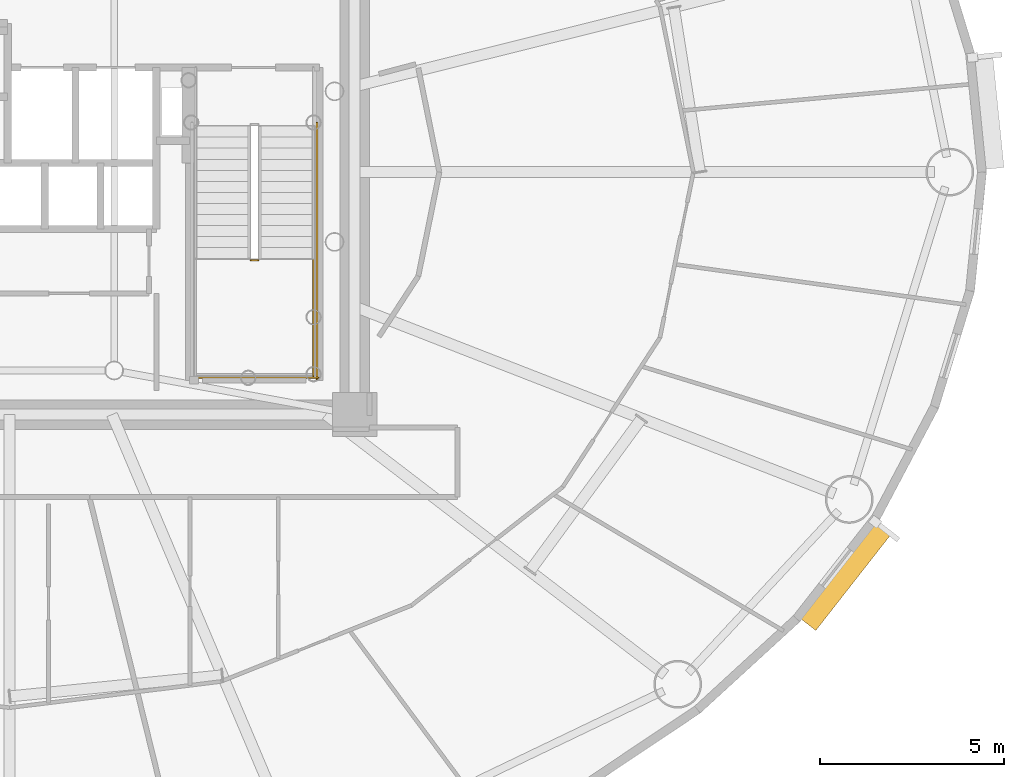
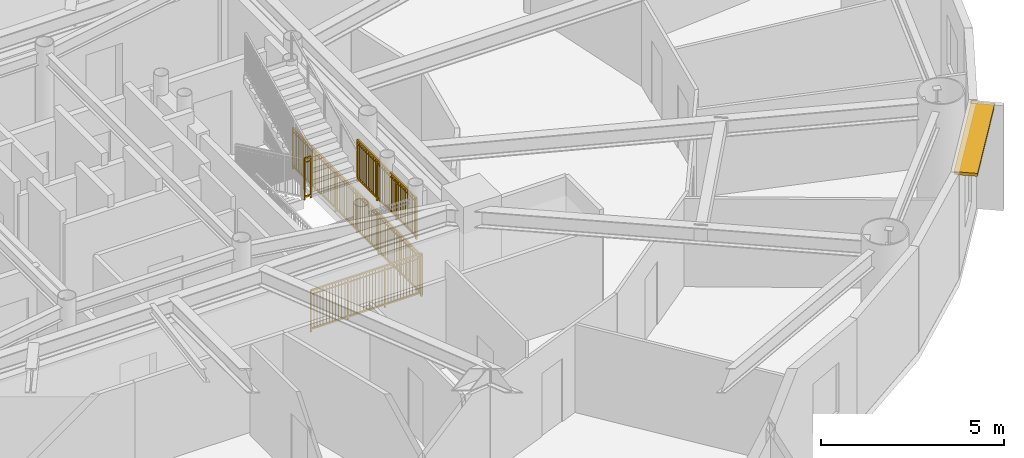
# One storey, part 19 of 21: 4 railings, 1 shading device.
"""IFC4 building model written with IfcOpenShell, lengths in metres."""

from ifc_helpers import new_model, si_unit, direction, frame, origin, origin_2d, place, context, subcontext, project, spatial, rectangle, extrude, source, transform, mapped, material, layer, layer_set, type_object, element, save


model = new_model("IFC4")

# Units and contexts
model_context = context("Model", 3, precision=1e-05, world=origin(), true_north=direction((0.0, 1.0)))
body_context = subcontext(model_context, "Body", "Model", "MODEL_VIEW")
ifc_project = project(units=[si_unit("LENGTHUNIT", "METRE"), si_unit("AREAUNIT", "SQUARE_METRE"), si_unit("VOLUMEUNIT", "CUBIC_METRE"), si_unit("PLANEANGLEUNIT", "RADIAN"), si_unit("MASSUNIT", "GRAM", prefix="KILO")], contexts=[model_context])

# Site, building, storey
site_placement = place(None, origin())
site = spatial("IfcSite", under=ifc_project, at=site_placement, CompositionType="ELEMENT")
building_placement = place(site_placement, origin())
building = spatial("IfcBuilding", under=site, at=building_placement, Name="Linh Dai School and Residence Tower", CompositionType="ELEMENT")
storey_placement = place(building_placement, frame((0.0, 0.0, 189.89990234375)))
storey = spatial("IfcBuildingStorey", under=building, at=storey_placement, Name="L46", CompositionType="ELEMENT", Elevation=189.89990234375)

# Shading device
ifc_material_1 = material(Name="Terracotta Ceramic Sunshade", Category="masonry")
ifc_layer = layer(ifc_material_1, 0.10009765625)
ifc_layer_set = layer_set([ifc_layer], Name="Terracotta Ceramic Sunshade")
shading_device_type = type_object("IfcShadingDeviceType", Name="SHD-TC-650", PredefinedType="USERDEFINED", material=ifc_layer_set)
shared_shape_1 = source(origin(), body_context, "Body", "SweptSolid", [
    extrude(rectangle(XDim=3.376708984375, YDim=0.64990234375, at=origin_2d()), origin(), (0.0, 0.0, 1.0), 0.10009765625),
])
shading_device_placement = place(storey_placement, frame((58.736572265625, 16.05078125, 3.380126953125), z_axis=(0.0, 0.0, 1.0), x_axis=(-0.616286337798, -0.787522158319, 0.0)))
element("IfcShadingDevice", 1, at=shading_device_placement, inside=storey, type_object=shading_device_type, Name="L46 Terracotta Horizontal Sunshade Band 37", ObjectType="SUNSHADE", PredefinedType="USERDEFINED", context=body_context, shape_type="MappedRepresentation", body=[
    mapped(shared_shape_1, transform((0.0, 0.0, 0.0), x_axis=(1.0, 0.0, 0.0), y_axis=(0.0, 1.0, 0.0), z_axis=(0.0, 0.0, 1.0), scale=1.0)),
])

# Railings
ifc_material_2 = material(Name="Structural Steel S355JR", Category="steel")
railing_type = type_object("IfcRailingType", Name="RL-ST-GUARD-1400", PredefinedType="GUARDRAIL", material=ifc_material_2)
shared_shape_2 = source(origin(), body_context, "Body", "SweptSolid", [
    extrude(rectangle(XDim=0.048095703125, YDim=0.048095703125, at=origin_2d()), frame((0.0, 0.0, 1.3759765625), z_axis=(1.0, 0.0, 0.0), x_axis=(0.0, 1.0, 0.0)), (0.0, 0.0, 1.0), 0.199951171875),
    extrude(rectangle(XDim=0.048095703125, YDim=0.048095703125, at=origin_2d()), frame((0.0, 0.0, 0.10009765625), z_axis=(1.0, 0.0, 0.0), x_axis=(0.0, 1.0, 0.0)), (0.0, 0.0, 1.0), 0.199951171875),
    extrude(rectangle(XDim=0.030029296875, YDim=0.030029296875, at=origin_2d()), frame((0.0, 0.0, 1.239990234375), z_axis=(1.0, 0.0, 0.0), x_axis=(0.0, 1.0, 0.0)), (0.0, 0.0, 1.0), 0.199951171875),
    extrude(rectangle(XDim=0.0419921875, YDim=0.0419921875, at=origin_2d()), origin(), (0.0, 0.0, 1.0), 1.3759765625),
    extrude(rectangle(XDim=0.0419921875, YDim=0.0419921875, at=origin_2d()), frame((0.199951171875, 0.0, 0.0)), (0.0, 0.0, 1.0), 1.3759765625),
])
railing_1_placement = place(storey_placement, frame((42.570068359375, 24.60009765625, 1.875)))
element("IfcRailing", 2, at=railing_1_placement, inside=storey, type_object=railing_type, Name="L46 ST2 stair guard 2", PredefinedType="GUARDRAIL", context=body_context, shape_type="MappedRepresentation", body=[
    mapped(shared_shape_2, transform((0.0, 0.0, 0.0), x_axis=(1.0, 0.0, 0.0), y_axis=(0.0, 1.0, 0.0), z_axis=(0.0, 0.0, 1.0), scale=1.0)),
])
shared_shape_3 = source(origin(), body_context, "Body", "SweptSolid", [
    extrude(rectangle(XDim=0.048095703125, YDim=0.048095703125, at=origin_2d()), frame((0.0, 0.0, 1.3759765625), z_axis=(0.0, -1.0, 0.0), x_axis=(1.0, 0.0, 0.0)), (0.0, 0.0, 1.0), 7.0),
    extrude(rectangle(XDim=0.048095703125, YDim=0.048095703125, at=origin_2d()), frame((0.0, 0.0, 0.10009765625), z_axis=(0.0, -1.0, 0.0), x_axis=(1.0, 0.0, 0.0)), (0.0, 0.0, 1.0), 7.0),
    extrude(rectangle(XDim=0.030029296875, YDim=0.030029296875, at=origin_2d()), frame((0.0, 0.0, 1.239990234375), z_axis=(0.0, -1.0, 0.0), x_axis=(1.0, 0.0, 0.0)), (0.0, 0.0, 1.0), 7.0),
    extrude(rectangle(XDim=0.02001953125, YDim=0.02001953125, at=origin_2d()), frame((0.0, -0.09716796875, 0.10009765625)), (0.0, 0.0, 1.0), 1.251708984375),
    extrude(rectangle(XDim=0.02001953125, YDim=0.02001953125, at=origin_2d()), frame((0.0, -0.1943359375, 0.10009765625)), (0.0, 0.0, 1.0), 1.251708984375),
    extrude(rectangle(XDim=0.02001953125, YDim=0.02001953125, at=origin_2d()), frame((0.0, -0.291748046875, 0.10009765625)), (0.0, 0.0, 1.0), 1.251708984375),
    extrude(rectangle(XDim=0.02001953125, YDim=0.02001953125, at=origin_2d()), frame((0.0, -0.388916015625, 0.10009765625)), (0.0, 0.0, 1.0), 1.251708984375),
    extrude(rectangle(XDim=0.02001953125, YDim=0.02001953125, at=origin_2d()), frame((0.0, -0.486083984375, 0.10009765625)), (0.0, 0.0, 1.0), 1.251708984375),
    extrude(rectangle(XDim=0.02001953125, YDim=0.02001953125, at=origin_2d()), frame((0.0, -0.583251953125, 0.10009765625)), (0.0, 0.0, 1.0), 1.251708984375),
    extrude(rectangle(XDim=0.02001953125, YDim=0.02001953125, at=origin_2d()), frame((0.0, -0.6806640625, 0.10009765625)), (0.0, 0.0, 1.0), 1.251708984375),
    extrude(rectangle(XDim=0.02001953125, YDim=0.02001953125, at=origin_2d()), frame((0.0, -0.77783203125, 0.10009765625)), (0.0, 0.0, 1.0), 1.251708984375),
    extrude(rectangle(XDim=0.02001953125, YDim=0.02001953125, at=origin_2d()), frame((0.0, -0.875, 0.10009765625)), (0.0, 0.0, 1.0), 1.251708984375),
    extrude(rectangle(XDim=0.02001953125, YDim=0.02001953125, at=origin_2d()), frame((0.0, -0.97216796875, 0.10009765625)), (0.0, 0.0, 1.0), 1.251708984375),
    extrude(rectangle(XDim=0.02001953125, YDim=0.02001953125, at=origin_2d()), frame((0.0, -1.0693359375, 0.10009765625)), (0.0, 0.0, 1.0), 1.251708984375),
    extrude(rectangle(XDim=0.02001953125, YDim=0.02001953125, at=origin_2d()), frame((0.0, -1.263916015625, 0.10009765625)), (0.0, 0.0, 1.0), 1.251708984375),
    extrude(rectangle(XDim=0.02001953125, YDim=0.02001953125, at=origin_2d()), frame((0.0, -1.361083984375, 0.10009765625)), (0.0, 0.0, 1.0), 1.251708984375),
    extrude(rectangle(XDim=0.02001953125, YDim=0.02001953125, at=origin_2d()), frame((0.0, -1.458251953125, 0.10009765625)), (0.0, 0.0, 1.0), 1.251708984375),
    extrude(rectangle(XDim=0.02001953125, YDim=0.02001953125, at=origin_2d()), frame((0.0, -1.5556640625, 0.10009765625)), (0.0, 0.0, 1.0), 1.251708984375),
    extrude(rectangle(XDim=0.02001953125, YDim=0.02001953125, at=origin_2d()), frame((0.0, -1.65283203125, 0.10009765625)), (0.0, 0.0, 1.0), 1.251708984375),
    extrude(rectangle(XDim=0.02001953125, YDim=0.02001953125, at=origin_2d()), frame((0.0, -1.75, 0.10009765625)), (0.0, 0.0, 1.0), 1.251708984375),
    extrude(rectangle(XDim=0.02001953125, YDim=0.02001953125, at=origin_2d()), frame((0.0, -1.84716796875, 0.10009765625)), (0.0, 0.0, 1.0), 1.251708984375),
    extrude(rectangle(XDim=0.02001953125, YDim=0.02001953125, at=origin_2d()), frame((0.0, -1.9443359375, 0.10009765625)), (0.0, 0.0, 1.0), 1.251708984375),
    extrude(rectangle(XDim=0.02001953125, YDim=0.02001953125, at=origin_2d()), frame((0.0, -2.041748046875, 0.10009765625)), (0.0, 0.0, 1.0), 1.251708984375),
    extrude(rectangle(XDim=0.02001953125, YDim=0.02001953125, at=origin_2d()), frame((0.0, -2.138916015625, 0.10009765625)), (0.0, 0.0, 1.0), 1.251708984375),
    extrude(rectangle(XDim=0.02001953125, YDim=0.02001953125, at=origin_2d()), frame((0.0, -2.236083984375, 0.10009765625)), (0.0, 0.0, 1.0), 1.251708984375),
    extrude(rectangle(XDim=0.02001953125, YDim=0.02001953125, at=origin_2d()), frame((0.0, -2.4306640625, 0.10009765625)), (0.0, 0.0, 1.0), 1.251708984375),
    extrude(rectangle(XDim=0.02001953125, YDim=0.02001953125, at=origin_2d()), frame((0.0, -2.52783203125, 0.10009765625)), (0.0, 0.0, 1.0), 1.251708984375),
    extrude(rectangle(XDim=0.02001953125, YDim=0.02001953125, at=origin_2d()), frame((0.0, -2.625, 0.10009765625)), (0.0, 0.0, 1.0), 1.251708984375),
    extrude(rectangle(XDim=0.02001953125, YDim=0.02001953125, at=origin_2d()), frame((0.0, -2.72216796875, 0.10009765625)), (0.0, 0.0, 1.0), 1.251708984375),
    extrude(rectangle(XDim=0.02001953125, YDim=0.02001953125, at=origin_2d()), frame((0.0, -2.8193359375, 0.10009765625)), (0.0, 0.0, 1.0), 1.251708984375),
    extrude(rectangle(XDim=0.02001953125, YDim=0.02001953125, at=origin_2d()), frame((0.0, -2.916748046875, 0.10009765625)), (0.0, 0.0, 1.0), 1.251708984375),
    extrude(rectangle(XDim=0.02001953125, YDim=0.02001953125, at=origin_2d()), frame((0.0, -3.013916015625, 0.10009765625)), (0.0, 0.0, 1.0), 1.251708984375),
    extrude(rectangle(XDim=0.02001953125, YDim=0.02001953125, at=origin_2d()), frame((0.0, -3.111083984375, 0.10009765625)), (0.0, 0.0, 1.0), 1.251708984375),
    extrude(rectangle(XDim=0.02001953125, YDim=0.02001953125, at=origin_2d()), frame((0.0, -3.208251953125, 0.10009765625)), (0.0, 0.0, 1.0), 1.251708984375),
    extrude(rectangle(XDim=0.02001953125, YDim=0.02001953125, at=origin_2d()), frame((0.0, -3.3056640625, 0.10009765625)), (0.0, 0.0, 1.0), 1.251708984375),
    extrude(rectangle(XDim=0.02001953125, YDim=0.02001953125, at=origin_2d()), frame((0.0, -3.40283203125, 0.10009765625)), (0.0, 0.0, 1.0), 1.251708984375),
    extrude(rectangle(XDim=0.02001953125, YDim=0.02001953125, at=origin_2d()), frame((0.0, -3.59716796875, 0.10009765625)), (0.0, 0.0, 1.0), 1.251708984375),
    extrude(rectangle(XDim=0.02001953125, YDim=0.02001953125, at=origin_2d()), frame((0.0, -3.6943359375, 0.10009765625)), (0.0, 0.0, 1.0), 1.251708984375),
    extrude(rectangle(XDim=0.02001953125, YDim=0.02001953125, at=origin_2d()), frame((0.0, -3.791748046875, 0.10009765625)), (0.0, 0.0, 1.0), 1.251708984375),
    extrude(rectangle(XDim=0.02001953125, YDim=0.02001953125, at=origin_2d()), frame((0.0, -3.888916015625, 0.10009765625)), (0.0, 0.0, 1.0), 1.251708984375),
    extrude(rectangle(XDim=0.02001953125, YDim=0.02001953125, at=origin_2d()), frame((0.0, -3.986083984375, 0.10009765625)), (0.0, 0.0, 1.0), 1.251708984375),
    extrude(rectangle(XDim=0.02001953125, YDim=0.02001953125, at=origin_2d()), frame((0.0, -4.083251953125, 0.10009765625)), (0.0, 0.0, 1.0), 1.251708984375),
    extrude(rectangle(XDim=0.02001953125, YDim=0.02001953125, at=origin_2d()), frame((0.0, -4.1806640625, 0.10009765625)), (0.0, 0.0, 1.0), 1.251708984375),
    extrude(rectangle(XDim=0.02001953125, YDim=0.02001953125, at=origin_2d()), frame((0.0, -4.27783203125, 0.10009765625)), (0.0, 0.0, 1.0), 1.251708984375),
    extrude(rectangle(XDim=0.02001953125, YDim=0.02001953125, at=origin_2d()), frame((0.0, -4.375, 0.10009765625)), (0.0, 0.0, 1.0), 1.251708984375),
    extrude(rectangle(XDim=0.02001953125, YDim=0.02001953125, at=origin_2d()), frame((0.0, -4.47216796875, 0.10009765625)), (0.0, 0.0, 1.0), 1.251708984375),
    extrude(rectangle(XDim=0.02001953125, YDim=0.02001953125, at=origin_2d()), frame((0.0, -4.5693359375, 0.10009765625)), (0.0, 0.0, 1.0), 1.251708984375),
    extrude(rectangle(XDim=0.02001953125, YDim=0.02001953125, at=origin_2d()), frame((0.0, -4.763916015625, 0.10009765625)), (0.0, 0.0, 1.0), 1.251708984375),
    extrude(rectangle(XDim=0.02001953125, YDim=0.02001953125, at=origin_2d()), frame((0.0, -4.861083984375, 0.10009765625)), (0.0, 0.0, 1.0), 1.251708984375),
    extrude(rectangle(XDim=0.02001953125, YDim=0.02001953125, at=origin_2d()), frame((0.0, -4.958251953125, 0.10009765625)), (0.0, 0.0, 1.0), 1.251708984375),
    extrude(rectangle(XDim=0.02001953125, YDim=0.02001953125, at=origin_2d()), frame((0.0, -5.0556640625, 0.10009765625)), (0.0, 0.0, 1.0), 1.251708984375),
    extrude(rectangle(XDim=0.02001953125, YDim=0.02001953125, at=origin_2d()), frame((0.0, -5.15283203125, 0.10009765625)), (0.0, 0.0, 1.0), 1.251708984375),
    extrude(rectangle(XDim=0.02001953125, YDim=0.02001953125, at=origin_2d()), frame((0.0, -5.25, 0.10009765625)), (0.0, 0.0, 1.0), 1.251708984375),
    extrude(rectangle(XDim=0.02001953125, YDim=0.02001953125, at=origin_2d()), frame((0.0, -5.34716796875, 0.10009765625)), (0.0, 0.0, 1.0), 1.251708984375),
    extrude(rectangle(XDim=0.02001953125, YDim=0.02001953125, at=origin_2d()), frame((0.0, -5.4443359375, 0.10009765625)), (0.0, 0.0, 1.0), 1.251708984375),
    extrude(rectangle(XDim=0.02001953125, YDim=0.02001953125, at=origin_2d()), frame((0.0, -5.541748046875, 0.10009765625)), (0.0, 0.0, 1.0), 1.251708984375),
    extrude(rectangle(XDim=0.02001953125, YDim=0.02001953125, at=origin_2d()), frame((0.0, -5.638916015625, 0.10009765625)), (0.0, 0.0, 1.0), 1.251708984375),
    extrude(rectangle(XDim=0.02001953125, YDim=0.02001953125, at=origin_2d()), frame((0.0, -5.736083984375, 0.10009765625)), (0.0, 0.0, 1.0), 1.251708984375),
    extrude(rectangle(XDim=0.02001953125, YDim=0.02001953125, at=origin_2d()), frame((0.0, -5.9306640625, 0.10009765625)), (0.0, 0.0, 1.0), 1.251708984375),
    extrude(rectangle(XDim=0.02001953125, YDim=0.02001953125, at=origin_2d()), frame((0.0, -6.02783203125, 0.10009765625)), (0.0, 0.0, 1.0), 1.251708984375),
    extrude(rectangle(XDim=0.02001953125, YDim=0.02001953125, at=origin_2d()), frame((0.0, -6.125, 0.10009765625)), (0.0, 0.0, 1.0), 1.251708984375),
    extrude(rectangle(XDim=0.02001953125, YDim=0.02001953125, at=origin_2d()), frame((0.0, -6.22216796875, 0.10009765625)), (0.0, 0.0, 1.0), 1.251708984375),
    extrude(rectangle(XDim=0.02001953125, YDim=0.02001953125, at=origin_2d()), frame((0.0, -6.3193359375, 0.10009765625)), (0.0, 0.0, 1.0), 1.251708984375),
    extrude(rectangle(XDim=0.02001953125, YDim=0.02001953125, at=origin_2d()), frame((0.0, -6.416748046875, 0.10009765625)), (0.0, 0.0, 1.0), 1.251708984375),
    extrude(rectangle(XDim=0.02001953125, YDim=0.02001953125, at=origin_2d()), frame((0.0, -6.513916015625, 0.10009765625)), (0.0, 0.0, 1.0), 1.251708984375),
    extrude(rectangle(XDim=0.02001953125, YDim=0.02001953125, at=origin_2d()), frame((0.0, -6.611083984375, 0.10009765625)), (0.0, 0.0, 1.0), 1.251708984375),
    extrude(rectangle(XDim=0.02001953125, YDim=0.02001953125, at=origin_2d()), frame((0.0, -6.708251953125, 0.10009765625)), (0.0, 0.0, 1.0), 1.251708984375),
    extrude(rectangle(XDim=0.02001953125, YDim=0.02001953125, at=origin_2d()), frame((0.0, -6.8056640625, 0.10009765625)), (0.0, 0.0, 1.0), 1.251708984375),
    extrude(rectangle(XDim=0.02001953125, YDim=0.02001953125, at=origin_2d()), frame((0.0, -6.90283203125, 0.10009765625)), (0.0, 0.0, 1.0), 1.251708984375),
    extrude(rectangle(XDim=0.0419921875, YDim=0.0419921875, at=origin_2d()), origin(), (0.0, 0.0, 1.0), 1.3759765625),
    extrude(rectangle(XDim=0.0419921875, YDim=0.0419921875, at=origin_2d()), frame((0.0, -1.166748046875, 0.0)), (0.0, 0.0, 1.0), 1.3759765625),
    extrude(rectangle(XDim=0.0419921875, YDim=0.0419921875, at=origin_2d()), frame((0.0, -2.333251953125, 0.0)), (0.0, 0.0, 1.0), 1.3759765625),
    extrude(rectangle(XDim=0.0419921875, YDim=0.0419921875, at=origin_2d()), frame((0.0, -3.5, 0.0)), (0.0, 0.0, 1.0), 1.3759765625),
    extrude(rectangle(XDim=0.0419921875, YDim=0.0419921875, at=origin_2d()), frame((0.0, -4.666748046875, 0.0)), (0.0, 0.0, 1.0), 1.3759765625),
    extrude(rectangle(XDim=0.0419921875, YDim=0.0419921875, at=origin_2d()), frame((0.0, -5.833251953125, 0.0)), (0.0, 0.0, 1.0), 1.3759765625),
    extrude(rectangle(XDim=0.0419921875, YDim=0.0419921875, at=origin_2d()), frame((0.0, -7.0, 0.0)), (0.0, 0.0, 1.0), 1.3759765625),
])
railing_2_placement = place(storey_placement, frame((44.3701171875, 28.35009765625, 0.0)))
element("IfcRailing", 3, at=railing_2_placement, inside=storey, type_object=railing_type, Name="L46 ST2 stair guard 11", PredefinedType="GUARDRAIL", context=body_context, shape_type="MappedRepresentation", body=[
    mapped(shared_shape_3, transform((0.0, 0.0, 0.0), x_axis=(1.0, 0.0, 0.0), y_axis=(0.0, 1.0, 0.0), z_axis=(0.0, 0.0, 1.0), scale=1.0)),
])
shared_shape_4 = source(origin(), body_context, "Body", "SweptSolid", [
    extrude(rectangle(XDim=0.048095703125, YDim=0.048095703125, at=origin_2d()), frame((0.0, 0.0, 1.3759765625), z_axis=(1.0, 0.0, 0.0), x_axis=(0.0, 1.0, 0.0)), (0.0, 0.0, 1.0), 3.5),
    extrude(rectangle(XDim=0.048095703125, YDim=0.048095703125, at=origin_2d()), frame((0.0, 0.0, 0.10009765625), z_axis=(1.0, 0.0, 0.0), x_axis=(0.0, 1.0, 0.0)), (0.0, 0.0, 1.0), 3.5),
    extrude(rectangle(XDim=0.030029296875, YDim=0.030029296875, at=origin_2d()), frame((0.0, 0.0, 1.239990234375), z_axis=(1.0, 0.0, 0.0), x_axis=(0.0, 1.0, 0.0)), (0.0, 0.0, 1.0), 3.5),
    extrude(rectangle(XDim=0.02001953125, YDim=0.02001953125, at=origin_2d()), frame((0.09716796875, 0.0, 0.10009765625)), (0.0, 0.0, 1.0), 1.251708984375),
    extrude(rectangle(XDim=0.02001953125, YDim=0.02001953125, at=origin_2d()), frame((0.1943359375, 0.0, 0.10009765625)), (0.0, 0.0, 1.0), 1.251708984375),
    extrude(rectangle(XDim=0.02001953125, YDim=0.02001953125, at=origin_2d()), frame((0.291748046875, 0.0, 0.10009765625)), (0.0, 0.0, 1.0), 1.251708984375),
    extrude(rectangle(XDim=0.02001953125, YDim=0.02001953125, at=origin_2d()), frame((0.388916015625, 0.0, 0.10009765625)), (0.0, 0.0, 1.0), 1.251708984375),
    extrude(rectangle(XDim=0.02001953125, YDim=0.02001953125, at=origin_2d()), frame((0.486083984375, 0.0, 0.10009765625)), (0.0, 0.0, 1.0), 1.251708984375),
    extrude(rectangle(XDim=0.02001953125, YDim=0.02001953125, at=origin_2d()), frame((0.583251953125, 0.0, 0.10009765625)), (0.0, 0.0, 1.0), 1.251708984375),
    extrude(rectangle(XDim=0.02001953125, YDim=0.02001953125, at=origin_2d()), frame((0.6806640625, 0.0, 0.10009765625)), (0.0, 0.0, 1.0), 1.251708984375),
    extrude(rectangle(XDim=0.02001953125, YDim=0.02001953125, at=origin_2d()), frame((0.77783203125, 0.0, 0.10009765625)), (0.0, 0.0, 1.0), 1.251708984375),
    extrude(rectangle(XDim=0.02001953125, YDim=0.02001953125, at=origin_2d()), frame((0.875, 0.0, 0.10009765625)), (0.0, 0.0, 1.0), 1.251708984375),
    extrude(rectangle(XDim=0.02001953125, YDim=0.02001953125, at=origin_2d()), frame((0.97216796875, 0.0, 0.10009765625)), (0.0, 0.0, 1.0), 1.251708984375),
    extrude(rectangle(XDim=0.02001953125, YDim=0.02001953125, at=origin_2d()), frame((1.0693359375, 0.0, 0.10009765625)), (0.0, 0.0, 1.0), 1.251708984375),
    extrude(rectangle(XDim=0.02001953125, YDim=0.02001953125, at=origin_2d()), frame((1.263916015625, 0.0, 0.10009765625)), (0.0, 0.0, 1.0), 1.251708984375),
    extrude(rectangle(XDim=0.02001953125, YDim=0.02001953125, at=origin_2d()), frame((1.361083984375, 0.0, 0.10009765625)), (0.0, 0.0, 1.0), 1.251708984375),
    extrude(rectangle(XDim=0.02001953125, YDim=0.02001953125, at=origin_2d()), frame((1.458251953125, 0.0, 0.10009765625)), (0.0, 0.0, 1.0), 1.251708984375),
    extrude(rectangle(XDim=0.02001953125, YDim=0.02001953125, at=origin_2d()), frame((1.5556640625, 0.0, 0.10009765625)), (0.0, 0.0, 1.0), 1.251708984375),
    extrude(rectangle(XDim=0.02001953125, YDim=0.02001953125, at=origin_2d()), frame((1.65283203125, 0.0, 0.10009765625)), (0.0, 0.0, 1.0), 1.251708984375),
    extrude(rectangle(XDim=0.02001953125, YDim=0.02001953125, at=origin_2d()), frame((1.75, 0.0, 0.10009765625)), (0.0, 0.0, 1.0), 1.251708984375),
    extrude(rectangle(XDim=0.02001953125, YDim=0.02001953125, at=origin_2d()), frame((1.84716796875, 0.0, 0.10009765625)), (0.0, 0.0, 1.0), 1.251708984375),
    extrude(rectangle(XDim=0.02001953125, YDim=0.02001953125, at=origin_2d()), frame((1.9443359375, 0.0, 0.10009765625)), (0.0, 0.0, 1.0), 1.251708984375),
    extrude(rectangle(XDim=0.02001953125, YDim=0.02001953125, at=origin_2d()), frame((2.041748046875, 0.0, 0.10009765625)), (0.0, 0.0, 1.0), 1.251708984375),
    extrude(rectangle(XDim=0.02001953125, YDim=0.02001953125, at=origin_2d()), frame((2.138916015625, 0.0, 0.10009765625)), (0.0, 0.0, 1.0), 1.251708984375),
    extrude(rectangle(XDim=0.02001953125, YDim=0.02001953125, at=origin_2d()), frame((2.236083984375, 0.0, 0.10009765625)), (0.0, 0.0, 1.0), 1.251708984375),
    extrude(rectangle(XDim=0.02001953125, YDim=0.02001953125, at=origin_2d()), frame((2.4306640625, 0.0, 0.10009765625)), (0.0, 0.0, 1.0), 1.251708984375),
    extrude(rectangle(XDim=0.02001953125, YDim=0.02001953125, at=origin_2d()), frame((2.52783203125, 0.0, 0.10009765625)), (0.0, 0.0, 1.0), 1.251708984375),
    extrude(rectangle(XDim=0.02001953125, YDim=0.02001953125, at=origin_2d()), frame((2.625, 0.0, 0.10009765625)), (0.0, 0.0, 1.0), 1.251708984375),
    extrude(rectangle(XDim=0.02001953125, YDim=0.02001953125, at=origin_2d()), frame((2.72216796875, 0.0, 0.10009765625)), (0.0, 0.0, 1.0), 1.251708984375),
    extrude(rectangle(XDim=0.02001953125, YDim=0.02001953125, at=origin_2d()), frame((2.8193359375, 0.0, 0.10009765625)), (0.0, 0.0, 1.0), 1.251708984375),
    extrude(rectangle(XDim=0.02001953125, YDim=0.02001953125, at=origin_2d()), frame((2.916748046875, 0.0, 0.10009765625)), (0.0, 0.0, 1.0), 1.251708984375),
    extrude(rectangle(XDim=0.02001953125, YDim=0.02001953125, at=origin_2d()), frame((3.013916015625, 0.0, 0.10009765625)), (0.0, 0.0, 1.0), 1.251708984375),
    extrude(rectangle(XDim=0.02001953125, YDim=0.02001953125, at=origin_2d()), frame((3.111083984375, 0.0, 0.10009765625)), (0.0, 0.0, 1.0), 1.251708984375),
    extrude(rectangle(XDim=0.02001953125, YDim=0.02001953125, at=origin_2d()), frame((3.208251953125, 0.0, 0.10009765625)), (0.0, 0.0, 1.0), 1.251708984375),
    extrude(rectangle(XDim=0.02001953125, YDim=0.02001953125, at=origin_2d()), frame((3.3056640625, 0.0, 0.10009765625)), (0.0, 0.0, 1.0), 1.251708984375),
    extrude(rectangle(XDim=0.02001953125, YDim=0.02001953125, at=origin_2d()), frame((3.40283203125, 0.0, 0.10009765625)), (0.0, 0.0, 1.0), 1.251708984375),
    extrude(rectangle(XDim=0.0419921875, YDim=0.0419921875, at=origin_2d()), origin(), (0.0, 0.0, 1.0), 1.3759765625),
    extrude(rectangle(XDim=0.0419921875, YDim=0.0419921875, at=origin_2d()), frame((1.166748046875, 0.0, 0.0)), (0.0, 0.0, 1.0), 1.3759765625),
    extrude(rectangle(XDim=0.0419921875, YDim=0.0419921875, at=origin_2d()), frame((2.333251953125, 0.0, 0.0)), (0.0, 0.0, 1.0), 1.3759765625),
    extrude(rectangle(XDim=0.0419921875, YDim=0.0419921875, at=origin_2d()), frame((3.5, 0.0, 0.0)), (0.0, 0.0, 1.0), 1.3759765625),
])
railing_3_placement = place(storey_placement, frame((40.919921875, 21.39990234375, 0.0)))
element("IfcRailing", 4, at=railing_3_placement, inside=storey, type_object=railing_type, Name="L46 ST2 stair guard 12", PredefinedType="GUARDRAIL", context=body_context, shape_type="MappedRepresentation", body=[
    mapped(shared_shape_4, transform((0.0, 0.0, 0.0), x_axis=(1.0, 0.0, 0.0), y_axis=(0.0, 1.0, 0.0), z_axis=(0.0, 0.0, 1.0), scale=1.0)),
])
shared_shape_5 = source(origin(), body_context, "Body", "SweptSolid", [
    extrude(rectangle(XDim=0.048095703125, YDim=0.048095703125, at=origin_2d()), frame((0.0, 0.0, 1.3759765625), z_axis=(0.0, -1.0, 0.0), x_axis=(1.0, 0.0, 0.0)), (0.0, 0.0, 1.0), 3.199951171875),
    extrude(rectangle(XDim=0.048095703125, YDim=0.048095703125, at=origin_2d()), frame((0.0, 0.0, 0.10009765625), z_axis=(0.0, -1.0, 0.0), x_axis=(1.0, 0.0, 0.0)), (0.0, 0.0, 1.0), 3.199951171875),
    extrude(rectangle(XDim=0.030029296875, YDim=0.030029296875, at=origin_2d()), frame((0.0, 0.0, 1.239990234375), z_axis=(0.0, -1.0, 0.0), x_axis=(1.0, 0.0, 0.0)), (0.0, 0.0, 1.0), 3.199951171875),
    extrude(rectangle(XDim=0.02001953125, YDim=0.02001953125, at=origin_2d()), frame((0.0, -0.096923828125, 0.10009765625)), (0.0, 0.0, 1.0), 1.251708984375),
    extrude(rectangle(XDim=0.02001953125, YDim=0.02001953125, at=origin_2d()), frame((0.0, -0.19384765625, 0.10009765625)), (0.0, 0.0, 1.0), 1.251708984375),
    extrude(rectangle(XDim=0.02001953125, YDim=0.02001953125, at=origin_2d()), frame((0.0, -0.291015625, 0.10009765625)), (0.0, 0.0, 1.0), 1.251708984375),
    extrude(rectangle(XDim=0.02001953125, YDim=0.02001953125, at=origin_2d()), frame((0.0, -0.387939453125, 0.10009765625)), (0.0, 0.0, 1.0), 1.251708984375),
    extrude(rectangle(XDim=0.02001953125, YDim=0.02001953125, at=origin_2d()), frame((0.0, -0.48486328125, 0.10009765625)), (0.0, 0.0, 1.0), 1.251708984375),
    extrude(rectangle(XDim=0.02001953125, YDim=0.02001953125, at=origin_2d()), frame((0.0, -0.581787109375, 0.10009765625)), (0.0, 0.0, 1.0), 1.251708984375),
    extrude(rectangle(XDim=0.02001953125, YDim=0.02001953125, at=origin_2d()), frame((0.0, -0.6787109375, 0.10009765625)), (0.0, 0.0, 1.0), 1.251708984375),
    extrude(rectangle(XDim=0.02001953125, YDim=0.02001953125, at=origin_2d()), frame((0.0, -0.775634765625, 0.10009765625)), (0.0, 0.0, 1.0), 1.251708984375),
    extrude(rectangle(XDim=0.02001953125, YDim=0.02001953125, at=origin_2d()), frame((0.0, -0.872802734375, 0.10009765625)), (0.0, 0.0, 1.0), 1.251708984375),
    extrude(rectangle(XDim=0.02001953125, YDim=0.02001953125, at=origin_2d()), frame((0.0, -0.9697265625, 0.10009765625)), (0.0, 0.0, 1.0), 1.251708984375),
    extrude(rectangle(XDim=0.02001953125, YDim=0.02001953125, at=origin_2d()), frame((0.0, -1.16357421875, 0.10009765625)), (0.0, 0.0, 1.0), 1.251708984375),
    extrude(rectangle(XDim=0.02001953125, YDim=0.02001953125, at=origin_2d()), frame((0.0, -1.260498046875, 0.10009765625)), (0.0, 0.0, 1.0), 1.251708984375),
    extrude(rectangle(XDim=0.02001953125, YDim=0.02001953125, at=origin_2d()), frame((0.0, -1.357666015625, 0.10009765625)), (0.0, 0.0, 1.0), 1.251708984375),
    extrude(rectangle(XDim=0.02001953125, YDim=0.02001953125, at=origin_2d()), frame((0.0, -1.45458984375, 0.10009765625)), (0.0, 0.0, 1.0), 1.251708984375),
    extrude(rectangle(XDim=0.02001953125, YDim=0.02001953125, at=origin_2d()), frame((0.0, -1.551513671875, 0.10009765625)), (0.0, 0.0, 1.0), 1.251708984375),
    extrude(rectangle(XDim=0.02001953125, YDim=0.02001953125, at=origin_2d()), frame((0.0, -1.6484375, 0.10009765625)), (0.0, 0.0, 1.0), 1.251708984375),
    extrude(rectangle(XDim=0.02001953125, YDim=0.02001953125, at=origin_2d()), frame((0.0, -1.745361328125, 0.10009765625)), (0.0, 0.0, 1.0), 1.251708984375),
    extrude(rectangle(XDim=0.02001953125, YDim=0.02001953125, at=origin_2d()), frame((0.0, -1.84228515625, 0.10009765625)), (0.0, 0.0, 1.0), 1.251708984375),
    extrude(rectangle(XDim=0.02001953125, YDim=0.02001953125, at=origin_2d()), frame((0.0, -1.939453125, 0.10009765625)), (0.0, 0.0, 1.0), 1.251708984375),
    extrude(rectangle(XDim=0.02001953125, YDim=0.02001953125, at=origin_2d()), frame((0.0, -2.036376953125, 0.10009765625)), (0.0, 0.0, 1.0), 1.251708984375),
    extrude(rectangle(XDim=0.02001953125, YDim=0.02001953125, at=origin_2d()), frame((0.0, -2.230224609375, 0.10009765625)), (0.0, 0.0, 1.0), 1.251708984375),
    extrude(rectangle(XDim=0.02001953125, YDim=0.02001953125, at=origin_2d()), frame((0.0, -2.3271484375, 0.10009765625)), (0.0, 0.0, 1.0), 1.251708984375),
    extrude(rectangle(XDim=0.02001953125, YDim=0.02001953125, at=origin_2d()), frame((0.0, -2.42431640625, 0.10009765625)), (0.0, 0.0, 1.0), 1.251708984375),
    extrude(rectangle(XDim=0.02001953125, YDim=0.02001953125, at=origin_2d()), frame((0.0, -2.521240234375, 0.10009765625)), (0.0, 0.0, 1.0), 1.251708984375),
    extrude(rectangle(XDim=0.02001953125, YDim=0.02001953125, at=origin_2d()), frame((0.0, -2.6181640625, 0.10009765625)), (0.0, 0.0, 1.0), 1.251708984375),
    extrude(rectangle(XDim=0.02001953125, YDim=0.02001953125, at=origin_2d()), frame((0.0, -2.715087890625, 0.10009765625)), (0.0, 0.0, 1.0), 1.251708984375),
    extrude(rectangle(XDim=0.02001953125, YDim=0.02001953125, at=origin_2d()), frame((0.0, -2.81201171875, 0.10009765625)), (0.0, 0.0, 1.0), 1.251708984375),
    extrude(rectangle(XDim=0.02001953125, YDim=0.02001953125, at=origin_2d()), frame((0.0, -2.908935546875, 0.10009765625)), (0.0, 0.0, 1.0), 1.251708984375),
    extrude(rectangle(XDim=0.02001953125, YDim=0.02001953125, at=origin_2d()), frame((0.0, -3.006103515625, 0.10009765625)), (0.0, 0.0, 1.0), 1.251708984375),
    extrude(rectangle(XDim=0.02001953125, YDim=0.02001953125, at=origin_2d()), frame((0.0, -3.10302734375, 0.10009765625)), (0.0, 0.0, 1.0), 1.251708984375),
    extrude(rectangle(XDim=0.0419921875, YDim=0.0419921875, at=origin_2d()), origin(), (0.0, 0.0, 1.0), 1.3759765625),
    extrude(rectangle(XDim=0.0419921875, YDim=0.0419921875, at=origin_2d()), frame((0.0, -1.066650390625, 0.0)), (0.0, 0.0, 1.0), 1.3759765625),
    extrude(rectangle(XDim=0.0419921875, YDim=0.0419921875, at=origin_2d()), frame((0.0, -2.13330078125, 0.0)), (0.0, 0.0, 1.0), 1.3759765625),
    extrude(rectangle(XDim=0.0419921875, YDim=0.0419921875, at=origin_2d()), frame((0.0, -3.199951171875, 0.0)), (0.0, 0.0, 1.0), 1.3759765625),
])
railing_4_placement = place(storey_placement, frame((44.27001953125, 24.64990234375, 1.875)))
element("IfcRailing", 5, at=railing_4_placement, inside=storey, type_object=railing_type, Name="L46 ST2 stair guard 4", PredefinedType="GUARDRAIL", context=body_context, shape_type="MappedRepresentation", body=[
    mapped(shared_shape_5, transform((0.0, 0.0, 0.0), x_axis=(1.0, 0.0, 0.0), y_axis=(0.0, 1.0, 0.0), z_axis=(0.0, 0.0, 1.0), scale=1.0)),
])

save(model, "model.ifc")
